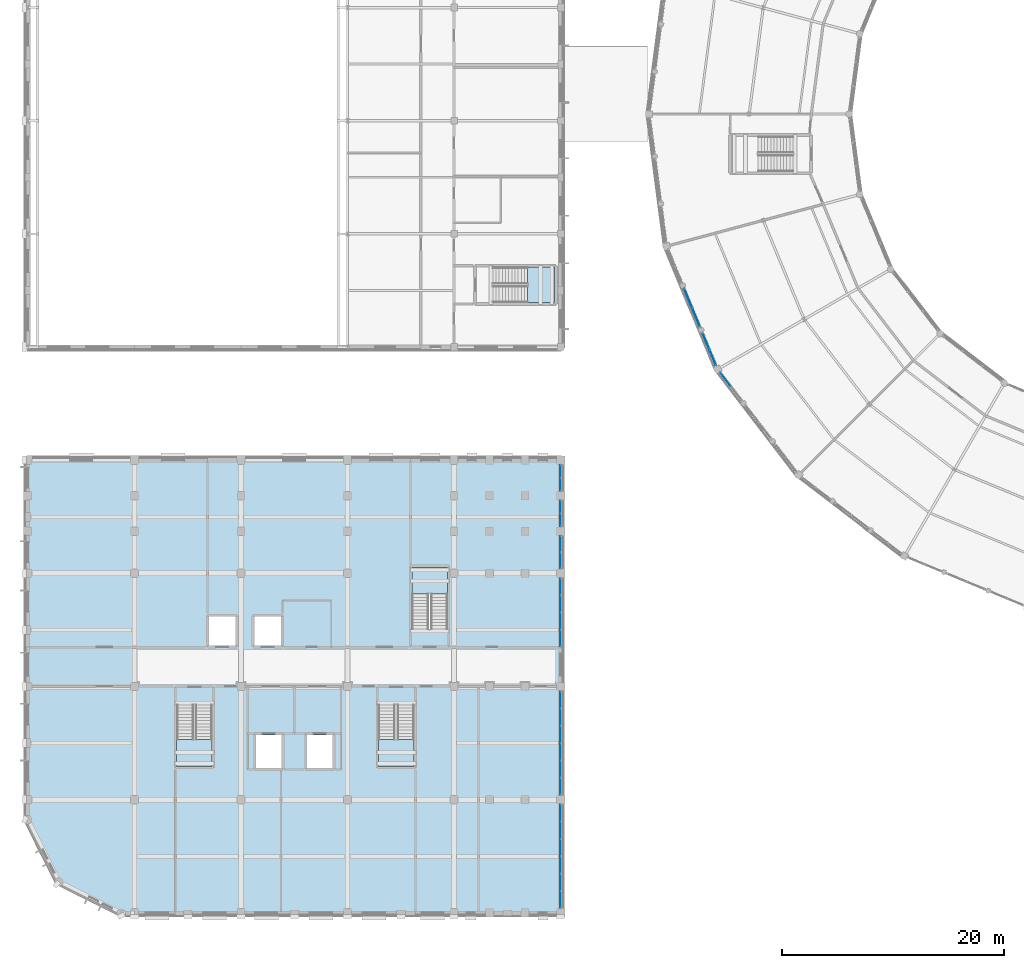
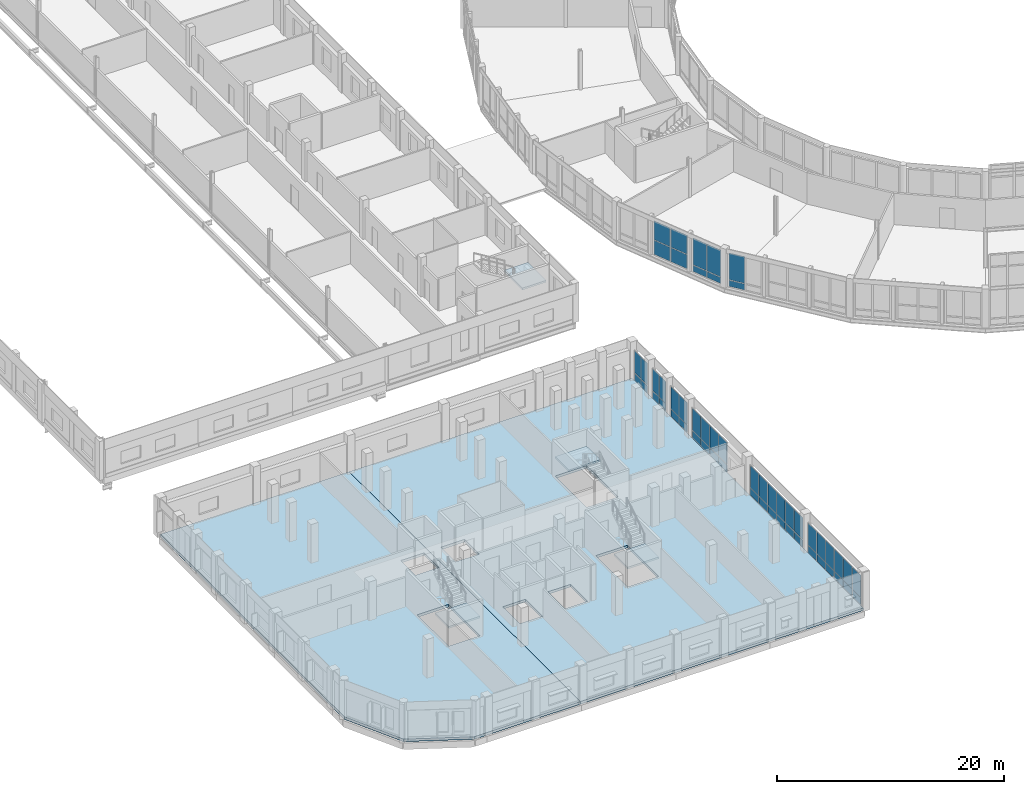
# One storey, part 124 of 170: 54 plates, 6 slabs, 13 elements without a shape of their own.
"""IFC4 building model written with IfcOpenShell, lengths in metres."""

import ifcopenshell
import ifcopenshell.guid

model = None  # the IFC model being written
_history = None  # IfcOwnerHistory: only IFC2X3 demands one
_inside = {}  # id of a spatial element -> (the spatial element, [elements in it])
_under = {}  # id of a project, library or spatial element -> (it, [spatial elements below it])
_declared = {}  # id of a project -> (the project, [libraries it declares])
_typed = {}  # id of a type object -> (the type object, [elements of that type])
_made_of = {}  # id of a material, layer set ... -> (it, [elements and type objects made of it])


def new_model(schema):
    """Start an empty IFC model of exactly this schema.

    Asked for "IFC4X3", IfcOpenShell would pick the latest addendum, in which some entities
    have other attributes; the version numbers below select the first issue.
    IFC2X3 requires an IfcOwnerHistory on every rooted entity: one is made here for all.
    """
    global model, _history
    if schema == "IFC4X3":
        model = ifcopenshell.file(schema_version=(4, 3, 0, 0))
    else:
        model = ifcopenshell.file(schema=schema)
    _inside.clear()
    _under.clear()
    _declared.clear()
    _typed.clear()
    _made_of.clear()
    _history = None
    if model.schema == "IFC2X3":
        org = make("IfcOrganization", Name="unknown")
        user = make(
            "IfcPersonAndOrganization",
            ThePerson=make("IfcPerson", FamilyName="unknown"),
            TheOrganization=org,
        )
        app = make(
            "IfcApplication",
            ApplicationDeveloper=org,
            Version="unknown",
            ApplicationFullName="unknown",
            ApplicationIdentifier="unknown",
        )
        _history = make(
            "IfcOwnerHistory",
            OwningUser=user,
            OwningApplication=app,
            ChangeAction="ADDED",
            CreationDate=0,
        )
    return model


def make(cls, **values):
    """One entity of the class cls with the attributes given. An attribute that is None is left unset."""
    return model.create_entity(
        cls, **{name: value for name, value in values.items() if value is not None}
    )


def rooted(cls, **values):
    """An entity with a GlobalId (a new one), such as an element, a storey or a relation."""
    return make(cls, GlobalId=ifcopenshell.guid.new(), OwnerHistory=_history, **values)


def si_unit(unit_type, name, prefix=None):
    """IfcSIUnit, for example si_unit("LENGTHUNIT", "METRE", prefix="MILLI")."""
    return make("IfcSIUnit", UnitType=unit_type, Prefix=prefix, Name=name)


def assignment(units):
    """IfcUnitAssignment: the units of a project."""
    return None if units is None else make("IfcUnitAssignment", Units=units)


def point(xyz):
    """IfcCartesianPoint."""
    return None if xyz is None else make("IfcCartesianPoint", Coordinates=xyz)


def direction(xyz):
    """IfcDirection."""
    return None if xyz is None else make("IfcDirection", DirectionRatios=xyz)


def frame(location, z_axis=None, x_axis=None):
    """IfcAxis2Placement3D, a coordinate frame: its origin and axes. An axis left out is left unset."""
    return make(
        "IfcAxis2Placement3D",
        Location=point(location),
        Axis=direction(z_axis),
        RefDirection=direction(x_axis),
    )


def frame_2d(location, x_axis=None):
    """IfcAxis2Placement2D, a coordinate frame in the plane: its origin and x axis."""
    return make(
        "IfcAxis2Placement2D", Location=point(location), RefDirection=direction(x_axis)
    )


def origin():
    """The frame at (0, 0, 0) with its axes left unset."""
    return frame((0.0, 0.0, 0.0))


def origin_2d():
    """The frame at (0, 0) in the plane with its x axis left unset."""
    return frame_2d((0.0, 0.0))


def place(relative_to, where):
    """IfcLocalPlacement: puts the frame where relative to a parent placement (None: the world)."""
    return make(
        "IfcLocalPlacement", PlacementRelTo=relative_to, RelativePlacement=where
    )


def context(
    kind, dimensions, precision=None, world=None, true_north=None, identifier=None
):
    """IfcGeometricRepresentationContext, for example the 3D "Model" context."""
    return make(
        "IfcGeometricRepresentationContext",
        ContextIdentifier=identifier,
        ContextType=kind,
        CoordinateSpaceDimension=dimensions,
        Precision=precision,
        WorldCoordinateSystem=world,
        TrueNorth=true_north,
    )


def subcontext(parent, identifier, kind, view, scale=None):
    """IfcGeometricRepresentationSubContext, for example "Body" below "Model"."""
    return make(
        "IfcGeometricRepresentationSubContext",
        ContextIdentifier=identifier,
        ContextType=kind,
        ParentContext=parent,
        TargetScale=scale,
        TargetView=view,
    )


def project(units=None, contexts=None):
    """IfcProject with its units and contexts."""
    return rooted(
        "IfcProject",
        Name="project",
        RepresentationContexts=contexts,
        UnitsInContext=assignment(units),
    )


def spatial(cls, under=None, at=None, **own):
    """A site, building, storey or space (cls), placed at a placement, below another one or the project."""
    s = rooted(cls, ObjectPlacement=at, **own)
    if under is not None:
        _under.setdefault(under.id(), (under, []))[1].append(s)
    return s


def polyline(points):
    """IfcPolyline through the points."""
    return make("IfcPolyline", Points=[point(p) for p in points])


def profile(cls, at=None, kind="AREA", **sizes):
    """A parametric profile (cls). Its sizes go by their IFC names, for example OverallWidth=200.0."""
    return make(cls, ProfileType=kind, Position=at, **sizes)


def rectangle(**sizes):
    """IfcRectangleProfileDef."""
    return profile("IfcRectangleProfileDef", **sizes)


def outline(outer, holes=None, kind="AREA"):
    """IfcArbitraryClosedProfileDef: a profile drawn as a closed curve; with holes, ...WithVoids."""
    if holes is None:
        return make("IfcArbitraryClosedProfileDef", ProfileType=kind, OuterCurve=outer)
    return make(
        "IfcArbitraryProfileDefWithVoids",
        ProfileType=kind,
        OuterCurve=outer,
        InnerCurves=holes,
    )


def extrude(swept, where, along, depth):
    """IfcExtrudedAreaSolid: the profile swept, set in the frame where, extruded along a direction by depth."""
    return make(
        "IfcExtrudedAreaSolid",
        SweptArea=swept,
        Position=where,
        ExtrudedDirection=direction(along),
        Depth=depth,
    )


def shape(context_of_items, identifier, shape_type, items):
    """IfcShapeRepresentation: the items that make up one representation, for example the "Body"."""
    return make(
        "IfcShapeRepresentation",
        ContextOfItems=context_of_items,
        RepresentationIdentifier=identifier,
        RepresentationType=shape_type,
        Items=items,
    )


def material(Name=None, Category=None):
    """IfcMaterial."""
    return make("IfcMaterial", Name=Name, Category=Category)


def layer(
    of_material, thickness, ventilated=None, Name=None, Category=None, Priority=None
):
    """IfcMaterialLayer: one layer of a wall or slab, of a material (None: an air gap)."""
    return make(
        "IfcMaterialLayer",
        Material=of_material,
        LayerThickness=thickness,
        IsVentilated=ventilated,
        Name=Name,
        Category=Category,
        Priority=Priority,
    )


def layer_set(layers, Name=None):
    """IfcMaterialLayerSet."""
    return make("IfcMaterialLayerSet", MaterialLayers=layers, LayerSetName=Name)


def made_of(thing, what):
    """Note that an element or type object is made of a material, layer set ...; save() writes the relation."""
    if what is not None:
        _made_of.setdefault(what.id(), (what, []))[1].append(thing)
    return thing


def type_object(cls, material=None, **own):
    """A type object (cls), such as IfcWallType, which elements share."""
    return made_of(rooted(cls, **own), material)


def element(
    cls,
    number,
    at=None,
    inside=None,
    cuts=None,
    type_object=None,
    material=None,
    context=None,
    identifier="Body",
    shape_type=None,
    held_by="IfcProductDefinitionShape",
    body=None,
    shapes=None,
    **own,
):
    """One element of the class cls, such as IfcWall. Its Tag is "e" and its number.

    at: its placement. inside: the storey or other place that contains it. cuts: it is an
    opening in that element (IfcRelVoidsElement). A single representation is given by context,
    identifier, shape_type and body (its items); several are given by shapes. held_by: the class
    of the entity that holds the representations. save() writes the other relations.
    """
    e = rooted(cls, Tag="e%d" % number, ObjectPlacement=at, **own)
    if body is not None:
        shapes = [shape(context, identifier, shape_type, body)]
    if shapes is not None:
        e.Representation = make(held_by, Representations=shapes)
    if inside is not None:
        _inside.setdefault(inside.id(), (inside, []))[1].append(e)
    if cuts is not None:
        rooted(
            "IfcRelVoidsElement", RelatingBuildingElement=cuts, RelatedOpeningElement=e
        )
    if type_object is not None:
        _typed.setdefault(type_object.id(), (type_object, []))[1].append(e)
    return made_of(e, material)


def aggregate(whole, parts):
    """IfcRelAggregates: a whole, such as a stair, and the parts it consists of."""
    return rooted("IfcRelAggregates", RelatingObject=whole, RelatedObjects=parts)


def save(model, path):
    """Write the relations noted so far, then the file.

    IfcRelAggregates (storeys below a building ...), IfcRelContainedInSpatialStructure (elements
    in a storey), IfcRelDefinesByType, IfcRelAssociatesMaterial and IfcRelDeclares: one each for
    every whole, place, type object, material and project.
    """
    for whole, parts in _under.values():
        aggregate(whole, parts)
    for where, things in _inside.values():
        rooted(
            "IfcRelContainedInSpatialStructure",
            RelatedElements=things,
            RelatingStructure=where,
        )
    for kind, things in _typed.values():
        rooted("IfcRelDefinesByType", RelatedObjects=things, RelatingType=kind)
    for what, things in _made_of.values():
        rooted("IfcRelAssociatesMaterial", RelatedObjects=things, RelatingMaterial=what)
    for by, libraries in _declared.values():
        rooted("IfcRelDeclares", RelatingContext=by, RelatedDefinitions=libraries)
    model.write(path)


model = new_model("IFC4")

# Units and contexts
model_context = context("Model", 3, precision=1e-05, world=origin(), true_north=direction((0.0, 1.0)))
body_context = subcontext(model_context, "Body", "Model", "MODEL_VIEW")
ifc_project = project(units=[si_unit("LENGTHUNIT", "METRE"), si_unit("AREAUNIT", "SQUARE_METRE"), si_unit("VOLUMEUNIT", "CUBIC_METRE"), si_unit("PLANEANGLEUNIT", "RADIAN"), si_unit("MASSUNIT", "GRAM", prefix="KILO")], contexts=[model_context])

# Site, building, storey
site_placement = place(None, origin())
site = spatial("IfcSite", under=ifc_project, at=site_placement, CompositionType="ELEMENT")
building_placement = place(site_placement, origin())
building = spatial("IfcBuilding", under=site, at=building_placement, Name="Vondelvale Polytechnic", CompositionType="ELEMENT")
storey_placement = place(building_placement, frame((0.0, 0.0, 5.39990234375)))
storey = spatial("IfcBuildingStorey", under=building, at=storey_placement, Name="L01", CompositionType="ELEMENT", Elevation=5.39990234375)

# Curtain wall, plates
ifc_material_1 = material(Name="Anodised extruded aluminium 6063-T6", Category="aluminium")
curtain_wall_type_1 = type_object("IfcCurtainWallType", Name="CW-STUDIO-NORTH", PredefinedType="NOTDEFINED", material=ifc_material_1)
curtain_wall_1_placement = place(storey_placement, origin())
curtain_wall_1 = element("IfcCurtainWall", 1, at=curtain_wall_1_placement, inside=storey, type_object=curtain_wall_type_1, Name="L01 architectural curtain wall CW-01-007", PredefinedType="NOTDEFINED")
ifc_material_2 = material(Name="Double-glazed low-E insulated architectural glass", Category="glass")
ifc_layer_1 = layer(ifc_material_2, 0.028076171875)
ifc_layer_set_1 = layer_set([ifc_layer_1], Name="CW-PANEL-GLAZED")
plate_type_1 = type_object("IfcPlateType", Name="CW-PANEL-GLAZED", PredefinedType="CURTAIN_PANEL", material=ifc_layer_set_1)
plate_1_placement = place(storey_placement, frame((48.0, 1.203857421875, 0.8798828125), z_axis=(0.0, 0.0, 1.0), x_axis=(0.0, 1.0, 0.0)))
plate_1 = element("IfcPlate", 2, at=plate_1_placement, type_object=plate_type_1, Name="CW-01-007 panel 1.2", PredefinedType="CURTAIN_PANEL", context=body_context, shape_type="SweptSolid", body=[
    extrude(rectangle(XDim=1.467529296875, YDim=0.028076171875, at=origin_2d()), origin(), (0.0, 0.0, 1.0), 2.360107421875),
])
plate_2_placement = place(storey_placement, frame((48.0, 2.75244140625, 0.8798828125), z_axis=(0.0, 0.0, 1.0), x_axis=(0.0, 1.0, 0.0)))
plate_2 = element("IfcPlate", 3, at=plate_2_placement, type_object=plate_type_1, Name="CW-01-007 panel 2.2", PredefinedType="CURTAIN_PANEL", context=body_context, shape_type="SweptSolid", body=[
    extrude(rectangle(XDim=1.5, YDim=0.028076171875, at=origin_2d()), origin(), (0.0, 0.0, 1.0), 2.360107421875),
])
plate_3_placement = place(storey_placement, frame((48.0, 4.3173828125, 0.8798828125), z_axis=(0.0, 0.0, 1.0), x_axis=(0.0, 1.0, 0.0)))
plate_3 = element("IfcPlate", 4, at=plate_3_placement, type_object=plate_type_1, Name="CW-01-007 panel 3.2", PredefinedType="CURTAIN_PANEL", context=body_context, shape_type="SweptSolid", body=[
    extrude(rectangle(XDim=1.5, YDim=0.028076171875, at=origin_2d()), origin(), (0.0, 0.0, 1.0), 2.360107421875),
])
plate_4_placement = place(storey_placement, frame((48.0, 5.882568359375, 0.8798828125), z_axis=(0.0, 0.0, 1.0), x_axis=(0.0, 1.0, 0.0)))
plate_4 = element("IfcPlate", 5, at=plate_4_placement, type_object=plate_type_1, Name="CW-01-007 panel 4.2", PredefinedType="CURTAIN_PANEL", context=body_context, shape_type="SweptSolid", body=[
    extrude(rectangle(XDim=1.5, YDim=0.028076171875, at=origin_2d()), origin(), (0.0, 0.0, 1.0), 2.360107421875),
])
plate_5_placement = place(storey_placement, frame((48.0, 7.447509765625, 0.8798828125), z_axis=(0.0, 0.0, 1.0), x_axis=(0.0, 1.0, 0.0)))
plate_5 = element("IfcPlate", 6, at=plate_5_placement, type_object=plate_type_1, Name="CW-01-007 panel 5.2", PredefinedType="CURTAIN_PANEL", context=body_context, shape_type="SweptSolid", body=[
    extrude(rectangle(XDim=1.5, YDim=0.028076171875, at=origin_2d()), origin(), (0.0, 0.0, 1.0), 2.360107421875),
])
plate_6_placement = place(storey_placement, frame((48.0, 8.996337890625, 0.8798828125), z_axis=(0.0, 0.0, 1.0), x_axis=(0.0, 1.0, 0.0)))
plate_6 = element("IfcPlate", 7, at=plate_6_placement, type_object=plate_type_1, Name="CW-01-007 panel 6.2", PredefinedType="CURTAIN_PANEL", context=body_context, shape_type="SweptSolid", body=[
    extrude(rectangle(XDim=1.467529296875, YDim=0.028076171875, at=origin_2d()), origin(), (0.0, 0.0, 1.0), 2.360107421875),
])

curtain_wall_2_placement = place(storey_placement, origin())
curtain_wall_2 = element("IfcCurtainWall", 8, at=curtain_wall_2_placement, inside=storey, type_object=curtain_wall_type_1, Name="L01 architectural curtain wall CW-01-008", PredefinedType="NOTDEFINED")
plate_7_placement = place(storey_placement, frame((48.0, 11.40380859375, 0.8798828125), z_axis=(0.0, 0.0, 1.0), x_axis=(0.0, 1.0, 0.0)))
plate_7 = element("IfcPlate", 9, at=plate_7_placement, type_object=plate_type_1, Name="CW-01-008 panel 1.2", PredefinedType="CURTAIN_PANEL", context=body_context, shape_type="SweptSolid", body=[
    extrude(rectangle(XDim=1.467529296875, YDim=0.028076171875, at=origin_2d()), origin(), (0.0, 0.0, 1.0), 2.360107421875),
])
plate_8_placement = place(storey_placement, frame((48.0, 12.952392578125, 0.8798828125), z_axis=(0.0, 0.0, 1.0), x_axis=(0.0, 1.0, 0.0)))
plate_8 = element("IfcPlate", 10, at=plate_8_placement, type_object=plate_type_1, Name="CW-01-008 panel 2.2", PredefinedType="CURTAIN_PANEL", context=body_context, shape_type="SweptSolid", body=[
    extrude(rectangle(XDim=1.5, YDim=0.028076171875, at=origin_2d()), origin(), (0.0, 0.0, 1.0), 2.360107421875),
])
plate_9_placement = place(storey_placement, frame((48.0, 14.517578125, 0.8798828125), z_axis=(0.0, 0.0, 1.0), x_axis=(0.0, 1.0, 0.0)))
plate_9 = element("IfcPlate", 11, at=plate_9_placement, type_object=plate_type_1, Name="CW-01-008 panel 3.2", PredefinedType="CURTAIN_PANEL", context=body_context, shape_type="SweptSolid", body=[
    extrude(rectangle(XDim=1.5, YDim=0.028076171875, at=origin_2d()), origin(), (0.0, 0.0, 1.0), 2.360107421875),
])
plate_10_placement = place(storey_placement, frame((48.0, 16.08251953125, 0.8798828125), z_axis=(0.0, 0.0, 1.0), x_axis=(0.0, 1.0, 0.0)))
plate_10 = element("IfcPlate", 12, at=plate_10_placement, type_object=plate_type_1, Name="CW-01-008 panel 4.2", PredefinedType="CURTAIN_PANEL", context=body_context, shape_type="SweptSolid", body=[
    extrude(rectangle(XDim=1.5, YDim=0.028076171875, at=origin_2d()), origin(), (0.0, 0.0, 1.0), 2.360107421875),
])
plate_11_placement = place(storey_placement, frame((48.0, 17.6474609375, 0.8798828125), z_axis=(0.0, 0.0, 1.0), x_axis=(0.0, 1.0, 0.0)))
plate_11 = element("IfcPlate", 13, at=plate_11_placement, type_object=plate_type_1, Name="CW-01-008 panel 5.2", PredefinedType="CURTAIN_PANEL", context=body_context, shape_type="SweptSolid", body=[
    extrude(rectangle(XDim=1.5, YDim=0.028076171875, at=origin_2d()), origin(), (0.0, 0.0, 1.0), 2.360107421875),
])
plate_12_placement = place(storey_placement, frame((48.0, 19.1962890625, 0.8798828125), z_axis=(0.0, 0.0, 1.0), x_axis=(0.0, 1.0, 0.0)))
plate_12 = element("IfcPlate", 14, at=plate_12_placement, type_object=plate_type_1, Name="CW-01-008 panel 6.2", PredefinedType="CURTAIN_PANEL", context=body_context, shape_type="SweptSolid", body=[
    extrude(rectangle(XDim=1.467529296875, YDim=0.028076171875, at=origin_2d()), origin(), (0.0, 0.0, 1.0), 2.360107421875),
])

curtain_wall_3_placement = place(storey_placement, origin())
curtain_wall_3 = element("IfcCurtainWall", 15, at=curtain_wall_3_placement, inside=storey, type_object=curtain_wall_type_1, Name="L01 architectural curtain wall CW-01-009", PredefinedType="NOTDEFINED")
plate_13_placement = place(storey_placement, frame((48.0, 24.760009765625, 0.8798828125), z_axis=(0.0, 0.0, 1.0), x_axis=(0.0, 1.0, 0.0)))
plate_13 = element("IfcPlate", 16, at=plate_13_placement, type_object=plate_type_1, Name="CW-01-009 panel 1.2", PredefinedType="CURTAIN_PANEL", context=body_context, shape_type="SweptSolid", body=[
    extrude(rectangle(XDim=1.4599609375, YDim=0.028076171875, at=origin_2d()), origin(), (0.0, 0.0, 1.0), 2.360107421875),
])
plate_14_placement = place(storey_placement, frame((48.0, 26.30126953125, 0.8798828125), z_axis=(0.0, 0.0, 1.0), x_axis=(0.0, 1.0, 0.0)))
plate_14 = element("IfcPlate", 17, at=plate_14_placement, type_object=plate_type_1, Name="CW-01-009 panel 2.2", PredefinedType="CURTAIN_PANEL", context=body_context, shape_type="SweptSolid", body=[
    extrude(rectangle(XDim=1.492431640625, YDim=0.028076171875, at=origin_2d()), origin(), (0.0, 0.0, 1.0), 2.360107421875),
])
plate_15_placement = place(storey_placement, frame((48.0, 27.858642578125, 0.8798828125), z_axis=(0.0, 0.0, 1.0), x_axis=(0.0, 1.0, 0.0)))
plate_15 = element("IfcPlate", 18, at=plate_15_placement, type_object=plate_type_1, Name="CW-01-009 panel 3.2", PredefinedType="CURTAIN_PANEL", context=body_context, shape_type="SweptSolid", body=[
    extrude(rectangle(XDim=1.492431640625, YDim=0.028076171875, at=origin_2d()), origin(), (0.0, 0.0, 1.0), 2.360107421875),
])
plate_16_placement = place(storey_placement, frame((48.0, 29.39990234375, 0.8798828125), z_axis=(0.0, 0.0, 1.0), x_axis=(0.0, 1.0, 0.0)))
plate_16 = element("IfcPlate", 19, at=plate_16_placement, type_object=plate_type_1, Name="CW-01-009 panel 4.2", PredefinedType="CURTAIN_PANEL", context=body_context, shape_type="SweptSolid", body=[
    extrude(rectangle(XDim=1.4599609375, YDim=0.028076171875, at=origin_2d()), origin(), (0.0, 0.0, 1.0), 2.360107421875),
])

curtain_wall_4_placement = place(storey_placement, origin())
curtain_wall_4 = element("IfcCurtainWall", 20, at=curtain_wall_4_placement, inside=storey, type_object=curtain_wall_type_1, Name="L01 architectural curtain wall CW-01-010", PredefinedType="NOTDEFINED")
plate_17_placement = place(storey_placement, frame((48.0, 31.768798828125, 0.8798828125), z_axis=(0.0, 0.0, 1.0), x_axis=(0.0, 1.0, 0.0)))
plate_17 = element("IfcPlate", 21, at=plate_17_placement, type_object=plate_type_1, Name="CW-01-010 panel 1.2", PredefinedType="CURTAIN_PANEL", context=body_context, shape_type="SweptSolid", body=[
    extrude(rectangle(XDim=1.3974609375, YDim=0.028076171875, at=origin_2d()), origin(), (0.0, 0.0, 1.0), 2.360107421875),
])
plate_18_placement = place(storey_placement, frame((48.0, 33.231201171875, 0.8798828125), z_axis=(0.0, 0.0, 1.0), x_axis=(0.0, 1.0, 0.0)))
plate_18 = element("IfcPlate", 22, at=plate_18_placement, type_object=plate_type_1, Name="CW-01-010 panel 2.2", PredefinedType="CURTAIN_PANEL", context=body_context, shape_type="SweptSolid", body=[
    extrude(rectangle(XDim=1.3974609375, YDim=0.028076171875, at=origin_2d()), origin(), (0.0, 0.0, 1.0), 2.360107421875),
])

curtain_wall_5_placement = place(storey_placement, origin())
curtain_wall_5 = element("IfcCurtainWall", 23, at=curtain_wall_5_placement, inside=storey, type_object=curtain_wall_type_1, Name="L01 architectural curtain wall CW-01-011", PredefinedType="NOTDEFINED")
plate_19_placement = place(storey_placement, frame((48.0, 35.418701171875, 0.8798828125), z_axis=(0.0, 0.0, 1.0), x_axis=(0.0, 1.0, 0.0)))
plate_19 = element("IfcPlate", 24, at=plate_19_placement, type_object=plate_type_1, Name="CW-01-011 panel 1.2", PredefinedType="CURTAIN_PANEL", context=body_context, shape_type="SweptSolid", body=[
    extrude(rectangle(XDim=1.097412109375, YDim=0.028076171875, at=origin_2d()), origin(), (0.0, 0.0, 1.0), 2.360107421875),
])
plate_20_placement = place(storey_placement, frame((48.0, 36.581298828125, 0.8798828125), z_axis=(0.0, 0.0, 1.0), x_axis=(0.0, 1.0, 0.0)))
plate_20 = element("IfcPlate", 25, at=plate_20_placement, type_object=plate_type_1, Name="CW-01-011 panel 2.2", PredefinedType="CURTAIN_PANEL", context=body_context, shape_type="SweptSolid", body=[
    extrude(rectangle(XDim=1.097412109375, YDim=0.028076171875, at=origin_2d()), origin(), (0.0, 0.0, 1.0), 2.360107421875),
])

curtain_wall_6_placement = place(storey_placement, origin())
curtain_wall_6 = element("IfcCurtainWall", 26, at=curtain_wall_6_placement, inside=storey, type_object=curtain_wall_type_1, Name="L01 architectural curtain wall CW-01-012", PredefinedType="NOTDEFINED")
plate_21_placement = place(storey_placement, frame((48.0, 38.61865234375, 0.8798828125), z_axis=(0.0, 0.0, 1.0), x_axis=(0.0, 1.0, 0.0)))
plate_21 = element("IfcPlate", 27, at=plate_21_placement, type_object=plate_type_1, Name="CW-01-012 panel 1.2", PredefinedType="CURTAIN_PANEL", context=body_context, shape_type="SweptSolid", body=[
    extrude(rectangle(XDim=1.097412109375, YDim=0.028076171875, at=origin_2d()), origin(), (0.0, 0.0, 1.0), 2.360107421875),
])
plate_22_placement = place(storey_placement, frame((48.0, 39.78125, 0.8798828125), z_axis=(0.0, 0.0, 1.0), x_axis=(0.0, 1.0, 0.0)))
plate_22 = element("IfcPlate", 28, at=plate_22_placement, type_object=plate_type_1, Name="CW-01-012 panel 2.2", PredefinedType="CURTAIN_PANEL", context=body_context, shape_type="SweptSolid", body=[
    extrude(rectangle(XDim=1.097412109375, YDim=0.028076171875, at=origin_2d()), origin(), (0.0, 0.0, 1.0), 2.360107421875),
])

ifc_material_3 = material(Name="Glulam GL18 structural Tasmanian oak (fb = 42 MPa)", Category="wood")
curtain_wall_type_2 = type_object("IfcCurtainWallType", Name="CW-RING-OUTER", PredefinedType="NOTDEFINED", material=ifc_material_3)
curtain_wall_7_placement = place(storey_placement, origin())
curtain_wall_7 = element("IfcCurtainWall", 29, at=curtain_wall_7_placement, inside=storey, type_object=curtain_wall_type_2, Name="L01 architectural curtain wall CW-04-281", PredefinedType="NOTDEFINED")
plate_23_placement = place(storey_placement, frame((59.506591796875, 55.412841796875, 1.6298828125), z_axis=(0.0, 0.0, 1.0), x_axis=(0.382694599123, -0.92387490701, 0.0)))
plate_23 = element("IfcPlate", 30, at=plate_23_placement, type_object=plate_type_1, Name="CW-04-281 panel 1.2", PredefinedType="CURTAIN_PANEL", context=body_context, shape_type="SweptSolid", body=[
    extrude(rectangle(XDim=1.80908203125, YDim=0.028076171875, at=origin_2d()), origin(), (0.0, 0.0, 1.0), 2.030029296875),
])
plate_24_placement = place(storey_placement, frame((60.2236328125, 53.681396484375, 1.6298828125), z_axis=(0.0, 0.0, 1.0), x_axis=(0.382694599123, -0.92387490701, 0.0)))
plate_24 = element("IfcPlate", 31, at=plate_24_placement, type_object=plate_type_1, Name="CW-04-281 panel 2.2", PredefinedType="CURTAIN_PANEL", context=body_context, shape_type="SweptSolid", body=[
    extrude(rectangle(XDim=1.80908203125, YDim=0.028076171875, at=origin_2d()), origin(), (0.0, 0.0, 1.0), 2.030029296875),
])

curtain_wall_8_placement = place(storey_placement, origin())
curtain_wall_8 = element("IfcCurtainWall", 32, at=curtain_wall_8_placement, inside=storey, type_object=curtain_wall_type_2, Name="L01 architectural curtain wall CW-04-282", PredefinedType="NOTDEFINED")
plate_25_placement = place(storey_placement, frame((61.107421875, 51.5478515625, 0.7802734375), z_axis=(0.0, 0.0, 1.0), x_axis=(0.382677394529, -0.923882033442, 0.0)))
plate_25 = element("IfcPlate", 33, at=plate_25_placement, type_object=plate_type_1, Name="CW-04-282 panel 1.2", PredefinedType="CURTAIN_PANEL", context=body_context, shape_type="SweptSolid", body=[
    extrude(rectangle(XDim=1.530029296875, YDim=0.028076171875, at=origin_2d()), origin(), (0.0, 0.0, 1.0), 2.8798828125),
])
plate_26_placement = place(storey_placement, frame((61.7177734375, 50.07421875, 0.7802734375), z_axis=(0.0, 0.0, 1.0), x_axis=(0.382677394529, -0.923882033442, 0.0)))
plate_26 = element("IfcPlate", 34, at=plate_26_placement, type_object=plate_type_1, Name="CW-04-282 panel 2.2", PredefinedType="CURTAIN_PANEL", context=body_context, shape_type="SweptSolid", body=[
    extrude(rectangle(XDim=1.530029296875, YDim=0.028076171875, at=origin_2d()), origin(), (0.0, 0.0, 1.0), 2.8798828125),
])

# Curtain wall, plate
curtain_wall_9_placement = place(storey_placement, origin())
curtain_wall_9 = element("IfcCurtainWall", 35, at=curtain_wall_9_placement, inside=storey, type_object=curtain_wall_type_2, Name="L01 architectural curtain wall CW-04-299", PredefinedType="NOTDEFINED")
plate_27_placement = place(storey_placement, frame((62.87060546875, 48.07763671875, 0.7802734375), z_axis=(0.0, 0.0, 1.0), x_axis=(0.608786860133, -0.793333825656, 0.0)))
plate_27 = element("IfcPlate", 36, at=plate_27_placement, type_object=plate_type_1, Name="CW-04-299 panel 1.2", PredefinedType="CURTAIN_PANEL", context=body_context, shape_type="SweptSolid", body=[
    extrude(rectangle(XDim=1.530029296875, YDim=0.028076171875, at=origin_2d()), origin(), (0.0, 0.0, 1.0), 2.8798828125),
])

# Plate
ifc_material_4 = material(Name="Engineered Tasmanian oak studio and bridge joinery")
ifc_layer_2 = layer(ifc_material_4, 0.0419921875)
ifc_layer_set_2 = layer_set([ifc_layer_2], Name="CW-PANEL-OAK")
plate_type_2 = type_object("IfcPlateType", Name="CW-PANEL-OAK", PredefinedType="CURTAIN_PANEL", material=ifc_layer_set_2)
plate_28_placement = place(storey_placement, frame((59.506591796875, 55.412841796875, 0.06005859375), z_axis=(0.0, 0.0, 1.0), x_axis=(0.382694599123, -0.92387490701, 0.0)))
plate_28 = element("IfcPlate", 37, at=plate_28_placement, type_object=plate_type_2, Name="CW-04-281 panel 1.1", PredefinedType="CURTAIN_PANEL", context=body_context, shape_type="SweptSolid", body=[
    extrude(rectangle(XDim=1.80908203125, YDim=0.0419921875, at=origin_2d()), origin(), (0.0, 0.0, 1.0), 1.510009765625),
])

plate_29_placement = place(storey_placement, frame((60.2236328125, 53.681396484375, 0.06005859375), z_axis=(0.0, 0.0, 1.0), x_axis=(0.382694599123, -0.92387490701, 0.0)))
plate_29 = element("IfcPlate", 38, at=plate_29_placement, type_object=plate_type_2, Name="CW-04-281 panel 2.1", PredefinedType="CURTAIN_PANEL", context=body_context, shape_type="SweptSolid", body=[
    extrude(rectangle(XDim=1.80908203125, YDim=0.0419921875, at=origin_2d()), origin(), (0.0, 0.0, 1.0), 1.510009765625),
])

aggregate(curtain_wall_7, [plate_28, plate_23, plate_29, plate_24])

ifc_material_5 = material(Name="Kiln-fired architectural terracotta", Category="masonry")
ifc_layer_3 = layer(ifc_material_5, 0.035888671875)
ifc_layer_set_3 = layer_set([ifc_layer_3], Name="CW-PANEL-SPANDREL")
plate_type_3 = type_object("IfcPlateType", Name="CW-PANEL-SPANDREL", PredefinedType="CURTAIN_PANEL", material=ifc_layer_set_3)
plate_30_placement = place(storey_placement, frame((48.0, 1.203857421875, 0.06005859375), z_axis=(0.0, 0.0, 1.0), x_axis=(0.0, 1.0, 0.0)))
plate_30 = element("IfcPlate", 39, at=plate_30_placement, type_object=plate_type_3, Name="CW-01-007 panel 1.1", PredefinedType="CURTAIN_PANEL", context=body_context, shape_type="SweptSolid", body=[
    extrude(rectangle(XDim=1.467529296875, YDim=0.035888671875, at=origin_2d()), origin(), (0.0, 0.0, 1.0), 0.760009765625),
])

plate_31_placement = place(storey_placement, frame((48.0, 2.75244140625, 0.06005859375), z_axis=(0.0, 0.0, 1.0), x_axis=(0.0, 1.0, 0.0)))
plate_31 = element("IfcPlate", 40, at=plate_31_placement, type_object=plate_type_3, Name="CW-01-007 panel 2.1", PredefinedType="CURTAIN_PANEL", context=body_context, shape_type="SweptSolid", body=[
    extrude(rectangle(XDim=1.5, YDim=0.035888671875, at=origin_2d()), origin(), (0.0, 0.0, 1.0), 0.760009765625),
])

plate_32_placement = place(storey_placement, frame((48.0, 4.3173828125, 0.06005859375), z_axis=(0.0, 0.0, 1.0), x_axis=(0.0, 1.0, 0.0)))
plate_32 = element("IfcPlate", 41, at=plate_32_placement, type_object=plate_type_3, Name="CW-01-007 panel 3.1", PredefinedType="CURTAIN_PANEL", context=body_context, shape_type="SweptSolid", body=[
    extrude(rectangle(XDim=1.5, YDim=0.035888671875, at=origin_2d()), origin(), (0.0, 0.0, 1.0), 0.760009765625),
])

plate_33_placement = place(storey_placement, frame((48.0, 5.882568359375, 0.06005859375), z_axis=(0.0, 0.0, 1.0), x_axis=(0.0, 1.0, 0.0)))
plate_33 = element("IfcPlate", 42, at=plate_33_placement, type_object=plate_type_3, Name="CW-01-007 panel 4.1", PredefinedType="CURTAIN_PANEL", context=body_context, shape_type="SweptSolid", body=[
    extrude(rectangle(XDim=1.5, YDim=0.035888671875, at=origin_2d()), origin(), (0.0, 0.0, 1.0), 0.760009765625),
])

plate_34_placement = place(storey_placement, frame((48.0, 7.447509765625, 0.06005859375), z_axis=(0.0, 0.0, 1.0), x_axis=(0.0, 1.0, 0.0)))
plate_34 = element("IfcPlate", 43, at=plate_34_placement, type_object=plate_type_3, Name="CW-01-007 panel 5.1", PredefinedType="CURTAIN_PANEL", context=body_context, shape_type="SweptSolid", body=[
    extrude(rectangle(XDim=1.5, YDim=0.035888671875, at=origin_2d()), origin(), (0.0, 0.0, 1.0), 0.760009765625),
])

plate_35_placement = place(storey_placement, frame((48.0, 8.996337890625, 0.06005859375), z_axis=(0.0, 0.0, 1.0), x_axis=(0.0, 1.0, 0.0)))
plate_35 = element("IfcPlate", 44, at=plate_35_placement, type_object=plate_type_3, Name="CW-01-007 panel 6.1", PredefinedType="CURTAIN_PANEL", context=body_context, shape_type="SweptSolid", body=[
    extrude(rectangle(XDim=1.467529296875, YDim=0.035888671875, at=origin_2d()), origin(), (0.0, 0.0, 1.0), 0.760009765625),
])

aggregate(curtain_wall_1, [plate_30, plate_1, plate_31, plate_2, plate_32, plate_3, plate_33, plate_4, plate_34, plate_5, plate_35, plate_6])

plate_36_placement = place(storey_placement, frame((48.0, 11.40380859375, 0.06005859375), z_axis=(0.0, 0.0, 1.0), x_axis=(0.0, 1.0, 0.0)))
plate_36 = element("IfcPlate", 45, at=plate_36_placement, type_object=plate_type_3, Name="CW-01-008 panel 1.1", PredefinedType="CURTAIN_PANEL", context=body_context, shape_type="SweptSolid", body=[
    extrude(rectangle(XDim=1.467529296875, YDim=0.035888671875, at=origin_2d()), origin(), (0.0, 0.0, 1.0), 0.760009765625),
])

plate_37_placement = place(storey_placement, frame((48.0, 12.952392578125, 0.06005859375), z_axis=(0.0, 0.0, 1.0), x_axis=(0.0, 1.0, 0.0)))
plate_37 = element("IfcPlate", 46, at=plate_37_placement, type_object=plate_type_3, Name="CW-01-008 panel 2.1", PredefinedType="CURTAIN_PANEL", context=body_context, shape_type="SweptSolid", body=[
    extrude(rectangle(XDim=1.5, YDim=0.035888671875, at=origin_2d()), origin(), (0.0, 0.0, 1.0), 0.760009765625),
])

plate_38_placement = place(storey_placement, frame((48.0, 14.517578125, 0.06005859375), z_axis=(0.0, 0.0, 1.0), x_axis=(0.0, 1.0, 0.0)))
plate_38 = element("IfcPlate", 47, at=plate_38_placement, type_object=plate_type_3, Name="CW-01-008 panel 3.1", PredefinedType="CURTAIN_PANEL", context=body_context, shape_type="SweptSolid", body=[
    extrude(rectangle(XDim=1.5, YDim=0.035888671875, at=origin_2d()), origin(), (0.0, 0.0, 1.0), 0.760009765625),
])

plate_39_placement = place(storey_placement, frame((48.0, 16.08251953125, 0.06005859375), z_axis=(0.0, 0.0, 1.0), x_axis=(0.0, 1.0, 0.0)))
plate_39 = element("IfcPlate", 48, at=plate_39_placement, type_object=plate_type_3, Name="CW-01-008 panel 4.1", PredefinedType="CURTAIN_PANEL", context=body_context, shape_type="SweptSolid", body=[
    extrude(rectangle(XDim=1.5, YDim=0.035888671875, at=origin_2d()), origin(), (0.0, 0.0, 1.0), 0.760009765625),
])

plate_40_placement = place(storey_placement, frame((48.0, 17.6474609375, 0.06005859375), z_axis=(0.0, 0.0, 1.0), x_axis=(0.0, 1.0, 0.0)))
plate_40 = element("IfcPlate", 49, at=plate_40_placement, type_object=plate_type_3, Name="CW-01-008 panel 5.1", PredefinedType="CURTAIN_PANEL", context=body_context, shape_type="SweptSolid", body=[
    extrude(rectangle(XDim=1.5, YDim=0.035888671875, at=origin_2d()), origin(), (0.0, 0.0, 1.0), 0.760009765625),
])

plate_41_placement = place(storey_placement, frame((48.0, 19.1962890625, 0.06005859375), z_axis=(0.0, 0.0, 1.0), x_axis=(0.0, 1.0, 0.0)))
plate_41 = element("IfcPlate", 50, at=plate_41_placement, type_object=plate_type_3, Name="CW-01-008 panel 6.1", PredefinedType="CURTAIN_PANEL", context=body_context, shape_type="SweptSolid", body=[
    extrude(rectangle(XDim=1.467529296875, YDim=0.035888671875, at=origin_2d()), origin(), (0.0, 0.0, 1.0), 0.760009765625),
])

aggregate(curtain_wall_2, [plate_36, plate_7, plate_37, plate_8, plate_38, plate_9, plate_39, plate_10, plate_40, plate_11, plate_41, plate_12])

plate_42_placement = place(storey_placement, frame((48.0, 24.760009765625, 0.06005859375), z_axis=(0.0, 0.0, 1.0), x_axis=(0.0, 1.0, 0.0)))
plate_42 = element("IfcPlate", 51, at=plate_42_placement, type_object=plate_type_3, Name="CW-01-009 panel 1.1", PredefinedType="CURTAIN_PANEL", context=body_context, shape_type="SweptSolid", body=[
    extrude(rectangle(XDim=1.4599609375, YDim=0.035888671875, at=origin_2d()), origin(), (0.0, 0.0, 1.0), 0.760009765625),
])

plate_43_placement = place(storey_placement, frame((48.0, 26.30126953125, 0.06005859375), z_axis=(0.0, 0.0, 1.0), x_axis=(0.0, 1.0, 0.0)))
plate_43 = element("IfcPlate", 52, at=plate_43_placement, type_object=plate_type_3, Name="CW-01-009 panel 2.1", PredefinedType="CURTAIN_PANEL", context=body_context, shape_type="SweptSolid", body=[
    extrude(rectangle(XDim=1.492431640625, YDim=0.035888671875, at=origin_2d()), origin(), (0.0, 0.0, 1.0), 0.760009765625),
])

plate_44_placement = place(storey_placement, frame((48.0, 27.858642578125, 0.06005859375), z_axis=(0.0, 0.0, 1.0), x_axis=(0.0, 1.0, 0.0)))
plate_44 = element("IfcPlate", 53, at=plate_44_placement, type_object=plate_type_3, Name="CW-01-009 panel 3.1", PredefinedType="CURTAIN_PANEL", context=body_context, shape_type="SweptSolid", body=[
    extrude(rectangle(XDim=1.492431640625, YDim=0.035888671875, at=origin_2d()), origin(), (0.0, 0.0, 1.0), 0.760009765625),
])

plate_45_placement = place(storey_placement, frame((48.0, 29.39990234375, 0.06005859375), z_axis=(0.0, 0.0, 1.0), x_axis=(0.0, 1.0, 0.0)))
plate_45 = element("IfcPlate", 54, at=plate_45_placement, type_object=plate_type_3, Name="CW-01-009 panel 4.1", PredefinedType="CURTAIN_PANEL", context=body_context, shape_type="SweptSolid", body=[
    extrude(rectangle(XDim=1.4599609375, YDim=0.035888671875, at=origin_2d()), origin(), (0.0, 0.0, 1.0), 0.760009765625),
])

aggregate(curtain_wall_3, [plate_42, plate_13, plate_43, plate_14, plate_44, plate_15, plate_45, plate_16])

plate_46_placement = place(storey_placement, frame((48.0, 31.768798828125, 0.06005859375), z_axis=(0.0, 0.0, 1.0), x_axis=(0.0, 1.0, 0.0)))
plate_46 = element("IfcPlate", 55, at=plate_46_placement, type_object=plate_type_3, Name="CW-01-010 panel 1.1", PredefinedType="CURTAIN_PANEL", context=body_context, shape_type="SweptSolid", body=[
    extrude(rectangle(XDim=1.3974609375, YDim=0.035888671875, at=origin_2d()), origin(), (0.0, 0.0, 1.0), 0.760009765625),
])

plate_47_placement = place(storey_placement, frame((48.0, 33.231201171875, 0.06005859375), z_axis=(0.0, 0.0, 1.0), x_axis=(0.0, 1.0, 0.0)))
plate_47 = element("IfcPlate", 56, at=plate_47_placement, type_object=plate_type_3, Name="CW-01-010 panel 2.1", PredefinedType="CURTAIN_PANEL", context=body_context, shape_type="SweptSolid", body=[
    extrude(rectangle(XDim=1.3974609375, YDim=0.035888671875, at=origin_2d()), origin(), (0.0, 0.0, 1.0), 0.760009765625),
])

aggregate(curtain_wall_4, [plate_46, plate_17, plate_47, plate_18])

plate_48_placement = place(storey_placement, frame((48.0, 35.418701171875, 0.06005859375), z_axis=(0.0, 0.0, 1.0), x_axis=(0.0, 1.0, 0.0)))
plate_48 = element("IfcPlate", 57, at=plate_48_placement, type_object=plate_type_3, Name="CW-01-011 panel 1.1", PredefinedType="CURTAIN_PANEL", context=body_context, shape_type="SweptSolid", body=[
    extrude(rectangle(XDim=1.097412109375, YDim=0.035888671875, at=origin_2d()), origin(), (0.0, 0.0, 1.0), 0.760009765625),
])

plate_49_placement = place(storey_placement, frame((48.0, 36.581298828125, 0.06005859375), z_axis=(0.0, 0.0, 1.0), x_axis=(0.0, 1.0, 0.0)))
plate_49 = element("IfcPlate", 58, at=plate_49_placement, type_object=plate_type_3, Name="CW-01-011 panel 2.1", PredefinedType="CURTAIN_PANEL", context=body_context, shape_type="SweptSolid", body=[
    extrude(rectangle(XDim=1.097412109375, YDim=0.035888671875, at=origin_2d()), origin(), (0.0, 0.0, 1.0), 0.760009765625),
])

aggregate(curtain_wall_5, [plate_48, plate_19, plate_49, plate_20])

plate_50_placement = place(storey_placement, frame((48.0, 38.61865234375, 0.06005859375), z_axis=(0.0, 0.0, 1.0), x_axis=(0.0, 1.0, 0.0)))
plate_50 = element("IfcPlate", 59, at=plate_50_placement, type_object=plate_type_3, Name="CW-01-012 panel 1.1", PredefinedType="CURTAIN_PANEL", context=body_context, shape_type="SweptSolid", body=[
    extrude(rectangle(XDim=1.097412109375, YDim=0.035888671875, at=origin_2d()), origin(), (0.0, 0.0, 1.0), 0.760009765625),
])

plate_51_placement = place(storey_placement, frame((48.0, 39.78125, 0.06005859375), z_axis=(0.0, 0.0, 1.0), x_axis=(0.0, 1.0, 0.0)))
plate_51 = element("IfcPlate", 60, at=plate_51_placement, type_object=plate_type_3, Name="CW-01-012 panel 2.1", PredefinedType="CURTAIN_PANEL", context=body_context, shape_type="SweptSolid", body=[
    extrude(rectangle(XDim=1.097412109375, YDim=0.035888671875, at=origin_2d()), origin(), (0.0, 0.0, 1.0), 0.760009765625),
])

aggregate(curtain_wall_6, [plate_50, plate_21, plate_51, plate_22])

plate_52_placement = place(storey_placement, frame((61.107421875, 51.5478515625, 0.06005859375), z_axis=(0.0, 0.0, 1.0), x_axis=(0.382677394529, -0.923882033442, 0.0)))
plate_52 = element("IfcPlate", 61, at=plate_52_placement, type_object=plate_type_3, Name="CW-04-282 panel 1.1", PredefinedType="CURTAIN_PANEL", context=body_context, shape_type="SweptSolid", body=[
    extrude(rectangle(XDim=1.530029296875, YDim=0.035888671875, at=origin_2d()), origin(), (0.0, 0.0, 1.0), 0.659912109375),
])

plate_53_placement = place(storey_placement, frame((61.7177734375, 50.07421875, 0.06005859375), z_axis=(0.0, 0.0, 1.0), x_axis=(0.382677394529, -0.923882033442, 0.0)))
plate_53 = element("IfcPlate", 62, at=plate_53_placement, type_object=plate_type_3, Name="CW-04-282 panel 2.1", PredefinedType="CURTAIN_PANEL", context=body_context, shape_type="SweptSolid", body=[
    extrude(rectangle(XDim=1.530029296875, YDim=0.035888671875, at=origin_2d()), origin(), (0.0, 0.0, 1.0), 0.659912109375),
])

aggregate(curtain_wall_8, [plate_52, plate_25, plate_53, plate_26])

plate_54_placement = place(storey_placement, frame((62.87060546875, 48.07763671875, 0.06005859375), z_axis=(0.0, 0.0, 1.0), x_axis=(0.608786860133, -0.793333825656, 0.0)))
plate_54 = element("IfcPlate", 63, at=plate_54_placement, type_object=plate_type_3, Name="CW-04-299 panel 1.1", PredefinedType="CURTAIN_PANEL", context=body_context, shape_type="SweptSolid", body=[
    extrude(rectangle(XDim=1.530029296875, YDim=0.035888671875, at=origin_2d()), origin(), (0.0, 0.0, 1.0), 0.659912109375),
])

aggregate(curtain_wall_9, [plate_54, plate_27])

# Stair, slab
ifc_material_6 = material(Name="Concrete N40 (f'c = 40 MPa)", Category="concrete")
stair_type = type_object("IfcStairType", Name="STR-DOG-1500", PredefinedType="HALF_TURN_STAIR", material=ifc_material_6)
stair_1_placement = place(storey_placement, origin())
stair_1 = element("IfcStair", 64, at=stair_1_placement, inside=storey, type_object=stair_type, Name="L01 ST-01", PredefinedType="HALF_TURN_STAIR")
ifc_layer_4 = layer(ifc_material_6, 0.199951171875)
ifc_layer_set_4 = layer_set([ifc_layer_4], Name="SLB-LANDING-200")
slab_type_1 = type_object("IfcSlabType", Name="SLB-LANDING-200", PredefinedType="LANDING", material=ifc_layer_set_4)
slab_1_placement = place(storey_placement, frame((0.0, 0.0, 1.900146484375)))
slab_1 = element("IfcSlab", 65, at=slab_1_placement, type_object=slab_type_1, Name="ST-01 landing 1", PredefinedType="LANDING", context=body_context, shape_type="SweptSolid", body=[
    extrude(outline(polyline([(45.034912109375, 55.0), (47.449951171875, 55.0), (47.449951171875, 58.199951171875), (45.034912109375, 58.199951171875), (45.034912109375, 55.0)])), origin(), (0.0, 0.0, 1.0), 0.199951171875),
])
aggregate(stair_1, [slab_1])

stair_2_placement = place(storey_placement, origin())
stair_2 = element("IfcStair", 66, at=stair_2_placement, inside=storey, type_object=stair_type, Name="L01 ST-03", PredefinedType="HALF_TURN_STAIR")
slab_2_placement = place(storey_placement, frame((0.0, 0.0, 1.900146484375)))
slab_2 = element("IfcSlab", 67, at=slab_2_placement, type_object=slab_type_1, Name="ST-03 landing 1", PredefinedType="LANDING", context=body_context, shape_type="SweptSolid", body=[
    extrude(outline(polyline([(13.39990234375, 15.614990234375), (13.39990234375, 13.199951171875), (16.60009765625, 13.199951171875), (16.60009765625, 15.614990234375), (13.39990234375, 15.614990234375)])), origin(), (0.0, 0.0, 1.0), 0.199951171875),
])
aggregate(stair_2, [slab_2])

stair_3_placement = place(storey_placement, origin())
stair_3 = element("IfcStair", 68, at=stair_3_placement, inside=storey, type_object=stair_type, Name="L01 ST-04", PredefinedType="HALF_TURN_STAIR")
slab_3_placement = place(storey_placement, frame((0.0, 0.0, 1.900146484375)))
slab_3 = element("IfcSlab", 69, at=slab_3_placement, type_object=slab_type_1, Name="ST-04 landing 1", PredefinedType="LANDING", context=body_context, shape_type="SweptSolid", body=[
    extrude(outline(polyline([(31.60009765625, 15.614990234375), (31.60009765625, 13.199951171875), (34.800048828125, 13.199951171875), (34.800048828125, 15.614990234375), (31.60009765625, 15.614990234375)])), origin(), (0.0, 0.0, 1.0), 0.199951171875),
])
aggregate(stair_3, [slab_3])

stair_4_placement = place(storey_placement, origin())
stair_4 = element("IfcStair", 70, at=stair_4_placement, inside=storey, type_object=stair_type, Name="L01 ST-05", PredefinedType="HALF_TURN_STAIR")
slab_4_placement = place(storey_placement, frame((0.0, 0.0, 1.900146484375)))
slab_4 = element("IfcSlab", 71, at=slab_4_placement, type_object=slab_type_1, Name="ST-05 landing 1", PredefinedType="LANDING", context=body_context, shape_type="SweptSolid", body=[
    extrude(outline(polyline([(37.800048828125, 28.735107421875), (37.800048828125, 31.14990234375), (34.60009765625, 31.14990234375), (34.60009765625, 28.735107421875), (37.800048828125, 28.735107421875)])), origin(), (0.0, 0.0, 1.0), 0.199951171875),
])
aggregate(stair_4, [slab_4])

# Slabs
ifc_layer_5 = layer(ifc_material_6, 0.280029296875)
ifc_layer_set_5 = layer_set([ifc_layer_5], Name="SLB-LIBRARY-280")
slab_type_2 = type_object("IfcSlabType", Name="SLB-LIBRARY-280", PredefinedType="FLOOR", material=ifc_layer_set_5)
slab_5_placement = place(storey_placement, frame((0.0, 0.0, -0.27978515625)))
element("IfcSlab", 72, at=slab_5_placement, inside=storey, type_object=slab_type_2, Name="L01 corner wing West slab", PredefinedType="FLOOR", context=body_context, shape_type="SweptSolid", body=[
    extrude(outline(polyline([(8.39990234375, 0.0), (19.199951171875, 0.0), (19.199951171875, 40.800048828125), (0.0, 40.800048828125), (0.0, 8.39990234375), (2.800048828125, 2.800048828125), (8.39990234375, 0.0)]), holes=[polyline([(13.39990234375, 18.75), (13.39990234375, 13.199951171875), (16.60009765625, 13.199951171875), (16.60009765625, 18.75), (13.39990234375, 18.75)]), polyline([(16.300048828125, 24.10009765625), (18.699951171875, 24.10009765625), (18.699951171875, 26.699951171875), (16.300048828125, 26.699951171875), (16.300048828125, 24.10009765625)])]), origin(), (0.0, 0.0, 1.0), 0.27978515625),
])
slab_6_placement = place(storey_placement, frame((0.0, 0.0, -0.27978515625)))
element("IfcSlab", 73, at=slab_6_placement, inside=storey, type_object=slab_type_2, Name="L01 corner wing East slab", PredefinedType="FLOOR", context=body_context, shape_type="SweptSolid", body=[
    extrude(outline(polyline([(19.199951171875, 0.0), (48.0, 0.0), (48.0, 40.800048828125), (19.199951171875, 40.800048828125), (19.199951171875, 0.0)]), holes=[polyline([(31.60009765625, 18.75), (31.60009765625, 13.199951171875), (34.800048828125, 13.199951171875), (34.800048828125, 18.75), (31.60009765625, 18.75)]), polyline([(37.800048828125, 25.60009765625), (37.800048828125, 31.14990234375), (34.60009765625, 31.14990234375), (34.60009765625, 25.60009765625), (37.800048828125, 25.60009765625)]), polyline([(20.550048828125, 13.050048828125), (22.85009765625, 13.050048828125), (22.85009765625, 16.050048828125), (20.550048828125, 16.050048828125), (20.550048828125, 13.050048828125)]), polyline([(25.14990234375, 13.050048828125), (27.449951171875, 13.050048828125), (27.449951171875, 16.050048828125), (25.14990234375, 16.050048828125), (25.14990234375, 13.050048828125)]), polyline([(20.39990234375, 24.10009765625), (22.800048828125, 24.10009765625), (22.800048828125, 26.699951171875), (20.39990234375, 26.699951171875), (20.39990234375, 24.10009765625)])]), origin(), (0.0, 0.0, 1.0), 0.27978515625),
])

save(model, "model.ifc")
